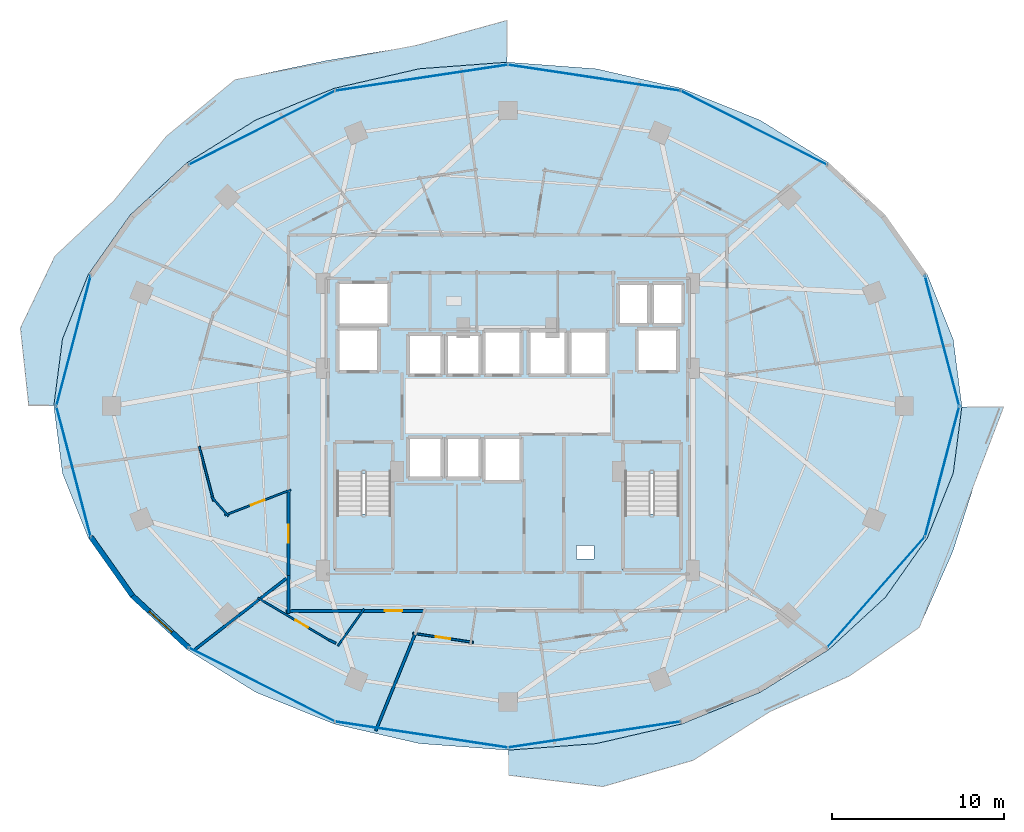
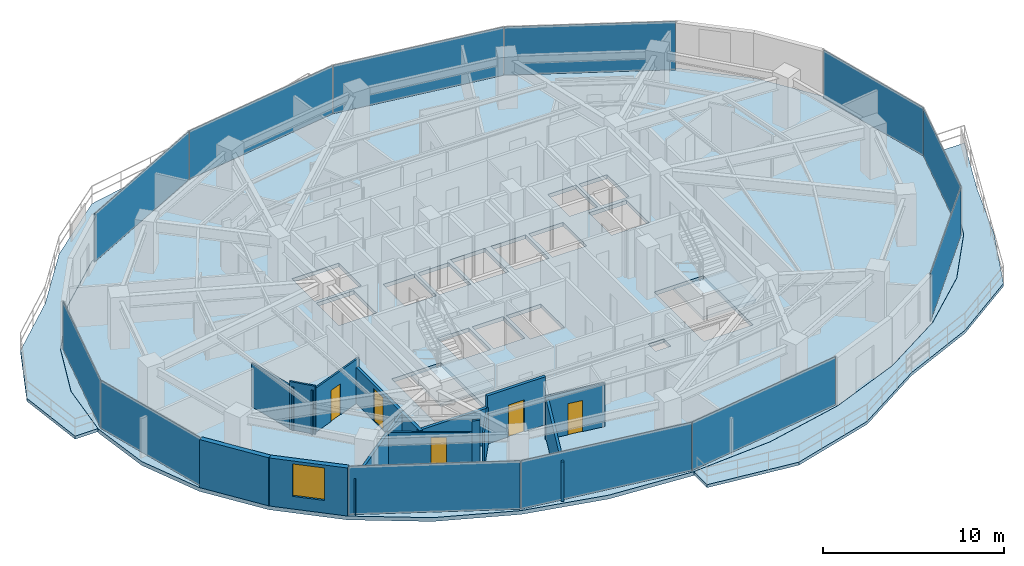
# One storey, part 21 of 30: 15 walls, 12 plates, 5 doors, 5 slabs, 1 window, 6 openings, 6 elements without a shape of their own.
"""IFC4 building model written with IfcOpenShell, lengths in metres."""

from ifc_helpers import new_model, si_unit, direction, frame, frame_2d, origin, origin_2d, place, context, subcontext, project, spatial, polyline, rectangle, outline, extrude, material, layer, layer_set, type_object, element, fill, aggregate, save


model = new_model("IFC4")

# Units and contexts
model_context = context("Model", 3, precision=1e-05, world=origin(), true_north=direction((0.0, 1.0)))
body_context = subcontext(model_context, "Body", "Model", "MODEL_VIEW")
ifc_project = project(units=[si_unit("LENGTHUNIT", "METRE"), si_unit("AREAUNIT", "SQUARE_METRE"), si_unit("VOLUMEUNIT", "CUBIC_METRE"), si_unit("PLANEANGLEUNIT", "RADIAN"), si_unit("MASSUNIT", "GRAM", prefix="KILO")], contexts=[model_context])

# Site, building, storey
site_placement = place(None, origin())
site = spatial("IfcSite", under=ifc_project, at=site_placement, CompositionType="ELEMENT")
building_placement = place(site_placement, origin())
building = spatial("IfcBuilding", under=site, at=building_placement, Name="Vorneva Point Tower", CompositionType="ELEMENT")
storey_placement = place(building_placement, frame((0.0, 0.0, 89.300048828125)))
storey = spatial("IfcBuildingStorey", under=building, at=storey_placement, Name="L23", CompositionType="ELEMENT", Elevation=89.300048828125)

# Curtain wall, plates
ifc_material_1 = material(Name="Pale anodised aluminium", Category="aluminium")
curtain_wall_type = type_object("IfcCurtainWallType", Name="CW-HTL-SYS", PredefinedType="NOTDEFINED", material=ifc_material_1)
curtain_wall_1_placement = place(storey_placement, origin())
curtain_wall_1 = element("IfcCurtainWall", 1, at=curtain_wall_1_placement, inside=storey, type_object=curtain_wall_type, Name="L23 Unitised Curtain Wall CW-L23-R01", PredefinedType="NOTDEFINED")
ifc_material_2 = material(Name="Double low-e laminated glass IGU", Category="glass")
ifc_layer_1 = layer(ifc_material_2, 0.035888671875)
ifc_layer_set_1 = layer_set([ifc_layer_1], Name="Double low-e laminated glass IGU")
plate_type = type_object("IfcPlateType", Name="CW-PNL-VIS", PredefinedType="CURTAIN_PANEL", material=ifc_layer_set_1)
plate_1_placement = place(storey_placement, frame((59.40673828125, 15.183837890625, -0.02001953125), z_axis=(0.0, 0.0, 1.0), x_axis=(0.662149334693, 0.749371909379, 0.0)))
plate_1 = element("IfcPlate", 2, at=plate_1_placement, type_object=plate_type, Name="CW-L23-R01 Glazed Panel 01", PredefinedType="CURTAIN_PANEL", context=body_context, shape_type="SweptSolid", body=[
    extrude(rectangle(XDim=8.543701171875, YDim=0.035888671875, at=origin_2d()), origin(), (0.0, 0.0, 1.0), 3.280029296875),
])
plate_2_placement = place(storey_placement, frame((63.2509765625, 22.201904296875, -0.02001953125), z_axis=(0.0, 0.0, 1.0), x_axis=(0.254399404995, 0.967099241411, 0.0)))
plate_2 = element("IfcPlate", 3, at=plate_2_placement, type_object=plate_type, Name="CW-L23-R01 Glazed Panel 02", PredefinedType="CURTAIN_PANEL", context=body_context, shape_type="SweptSolid", body=[
    extrude(rectangle(XDim=7.8046875, YDim=0.035888671875, at=origin_2d()), origin(), (0.0, 0.0, 1.0), 3.280029296875),
])
plate_3_placement = place(storey_placement, frame((63.2509765625, 29.798095703125, -0.02001953125), z_axis=(0.0, 0.0, 1.0), x_axis=(-0.254399404995, 0.967099241411, 0.0)))
plate_3 = element("IfcPlate", 4, at=plate_3_placement, type_object=plate_type, Name="CW-L23-R01 Glazed Panel 03", PredefinedType="CURTAIN_PANEL", context=body_context, shape_type="SweptSolid", body=[
    extrude(rectangle(XDim=7.8046875, YDim=0.035888671875, at=origin_2d()), origin(), (0.0, 0.0, 1.0), 3.280029296875),
])
aggregate(curtain_wall_1, [plate_1, plate_2, plate_3])

curtain_wall_2_placement = place(storey_placement, origin())
curtain_wall_2 = element("IfcCurtainWall", 5, at=curtain_wall_2_placement, inside=storey, type_object=curtain_wall_type, Name="L23 Unitised Curtain Wall CW-L23-R02", PredefinedType="NOTDEFINED")
plate_4_placement = place(storey_placement, frame((52.303466796875, 42.1875, -0.02001953125), z_axis=(0.0, 0.0, 1.0), x_axis=(-0.892538597772, 0.450971009585, 0.0)))
plate_4 = element("IfcPlate", 6, at=plate_4_placement, type_object=plate_type, Name="CW-L23-R02 Glazed Panel 01", PredefinedType="CURTAIN_PANEL", context=body_context, shape_type="SweptSolid", body=[
    extrude(rectangle(XDim=9.491455078125, YDim=0.035888671875, at=origin_2d()), origin(), (0.0, 0.0, 1.0), 3.280029296875),
])
plate_5_placement = place(storey_placement, frame((43.022705078125, 45.094482421875, -0.02001953125), z_axis=(0.0, 0.0, 1.0), x_axis=(-0.988876117041, 0.148741470836, 0.0)))
plate_5 = element("IfcPlate", 7, at=plate_5_placement, type_object=plate_type, Name="CW-L23-R02 Glazed Panel 02", PredefinedType="CURTAIN_PANEL", context=body_context, shape_type="SweptSolid", body=[
    extrude(rectangle(XDim=10.1083984375, YDim=0.035888671875, at=origin_2d()), origin(), (0.0, 0.0, 1.0), 3.280029296875),
])
plate_6_placement = place(storey_placement, frame((32.977294921875, 45.094482421875, -0.02001953125), z_axis=(0.0, 0.0, 1.0), x_axis=(-0.988876117041, -0.148741470836, 0.0)))
plate_6 = element("IfcPlate", 8, at=plate_6_placement, type_object=plate_type, Name="CW-L23-R02 Glazed Panel 03", PredefinedType="CURTAIN_PANEL", context=body_context, shape_type="SweptSolid", body=[
    extrude(rectangle(XDim=10.1083984375, YDim=0.035888671875, at=origin_2d()), origin(), (0.0, 0.0, 1.0), 3.280029296875),
])
plate_7_placement = place(storey_placement, frame((23.696533203125, 42.1875, -0.02001953125), z_axis=(0.0, 0.0, 1.0), x_axis=(-0.892538597772, -0.450971009585, 0.0)))
plate_7 = element("IfcPlate", 9, at=plate_7_placement, type_object=plate_type, Name="CW-L23-R02 Glazed Panel 04", PredefinedType="CURTAIN_PANEL", context=body_context, shape_type="SweptSolid", body=[
    extrude(rectangle(XDim=9.491455078125, YDim=0.035888671875, at=origin_2d()), origin(), (0.0, 0.0, 1.0), 3.280029296875),
])
aggregate(curtain_wall_2, [plate_4, plate_5, plate_6, plate_7])

curtain_wall_3_placement = place(storey_placement, origin())
curtain_wall_3 = element("IfcCurtainWall", 10, at=curtain_wall_3_placement, inside=storey, type_object=curtain_wall_type, Name="L23 Unitised Curtain Wall CW-L23-R03", PredefinedType="NOTDEFINED")
plate_8_placement = place(storey_placement, frame((12.7490234375, 29.798095703125, -0.02001953125), z_axis=(0.0, 0.0, 1.0), x_axis=(-0.254399404995, -0.967099241411, 0.0)))
plate_8 = element("IfcPlate", 11, at=plate_8_placement, type_object=plate_type, Name="CW-L23-R03 Glazed Panel 01", PredefinedType="CURTAIN_PANEL", context=body_context, shape_type="SweptSolid", body=[
    extrude(rectangle(XDim=7.8046875, YDim=0.035888671875, at=origin_2d()), origin(), (0.0, 0.0, 1.0), 3.280029296875),
])
plate_9_placement = place(storey_placement, frame((12.7490234375, 22.201904296875, -0.02001953125), z_axis=(0.0, 0.0, 1.0), x_axis=(0.254399404995, -0.967099241411, 0.0)))
plate_9 = element("IfcPlate", 12, at=plate_9_placement, type_object=plate_type, Name="CW-L23-R03 Glazed Panel 02", PredefinedType="CURTAIN_PANEL", context=body_context, shape_type="SweptSolid", body=[
    extrude(rectangle(XDim=7.8046875, YDim=0.035888671875, at=origin_2d()), origin(), (0.0, 0.0, 1.0), 3.280029296875),
])
aggregate(curtain_wall_3, [plate_8, plate_9])

curtain_wall_4_placement = place(storey_placement, origin())
curtain_wall_4 = element("IfcCurtainWall", 13, at=curtain_wall_4_placement, inside=storey, type_object=curtain_wall_type, Name="L23 Unitised Curtain Wall CW-L23-R04", PredefinedType="NOTDEFINED")
plate_10_placement = place(storey_placement, frame((23.696533203125, 9.8125, -0.02001953125), z_axis=(0.0, 0.0, 1.0), x_axis=(0.892538597772, -0.450971009585, 0.0)))
plate_10 = element("IfcPlate", 14, at=plate_10_placement, type_object=plate_type, Name="CW-L23-R04 Glazed Panel 01", PredefinedType="CURTAIN_PANEL", context=body_context, shape_type="SweptSolid", body=[
    extrude(rectangle(XDim=9.491455078125, YDim=0.035888671875, at=origin_2d()), origin(), (0.0, 0.0, 1.0), 3.280029296875),
])
plate_11_placement = place(storey_placement, frame((32.977294921875, 6.905517578125, -0.02001953125), z_axis=(0.0, 0.0, 1.0), x_axis=(0.988876117041, -0.148741470836, 0.0)))
plate_11 = element("IfcPlate", 15, at=plate_11_placement, type_object=plate_type, Name="CW-L23-R04 Glazed Panel 02", PredefinedType="CURTAIN_PANEL", context=body_context, shape_type="SweptSolid", body=[
    extrude(rectangle(XDim=10.1083984375, YDim=0.035888671875, at=origin_2d()), origin(), (0.0, 0.0, 1.0), 3.280029296875),
])
plate_12_placement = place(storey_placement, frame((43.022705078125, 6.905517578125, -0.02001953125), z_axis=(0.0, 0.0, 1.0), x_axis=(0.988876117041, 0.148741470836, 0.0)))
plate_12 = element("IfcPlate", 16, at=plate_12_placement, type_object=plate_type, Name="CW-L23-R04 Glazed Panel 03", PredefinedType="CURTAIN_PANEL", context=body_context, shape_type="SweptSolid", body=[
    extrude(rectangle(XDim=10.1083984375, YDim=0.035888671875, at=origin_2d()), origin(), (0.0, 0.0, 1.0), 3.280029296875),
])
aggregate(curtain_wall_4, [plate_10, plate_11, plate_12])

# Slabs
ifc_material_3 = material(Name="Concrete B50 (C40/50)", Category="concrete")
ifc_layer_2 = layer(ifc_material_3, 0.199951171875)
ifc_layer_set_2 = layer_set([ifc_layer_2], Name="Concrete B50 (C40/50)")
slab_type_1 = type_object("IfcSlabType", Name="SLB-BAL-200", PredefinedType="FLOOR", material=ifc_layer_set_2)
slab_1_placement = place(storey_placement, frame((0.0, 0.0, -0.199951171875)))
element("IfcSlab", 17, at=slab_1_placement, inside=storey, type_object=slab_type_1, Name="L23 Cantilevered Wave Balcony NW", PredefinedType="FLOOR", context=body_context, shape_type="SweptSolid", body=[
    extrude(outline(polyline([(10.1396484375, 26.050048828125), (11.6025390625, 26.050048828125), (12.103271484375, 29.90234375), (12.103515625, 29.902587890625), (12.103515625, 29.903076171875), (12.103515625, 29.9033203125), (13.60595703125, 33.6552734375), (13.606201171875, 33.655517578125), (13.606201171875, 33.656005859375), (16.0458984375, 37.11376953125), (16.046142578125, 37.114013671875), (16.04638671875, 37.1142578125), (19.32958984375, 40.14501953125), (19.330078125, 40.145263671875), (19.330322265625, 40.1455078125), (23.330810546875, 42.6328125), (23.3310546875, 42.633056640625), (23.331298828125, 42.633056640625), (27.895751953125, 44.481201171875), (27.89599609375, 44.4814453125), (27.896240234375, 44.4814453125), (32.8486328125, 45.61962890625), (32.84912109375, 45.61962890625), (32.849365234375, 45.61962890625), (37.949951171875, 46.000244140625), (37.949951171875, 48.43115234375), (32.645751953125, 46.968505859375), (27.3935546875, 46.08251953125), (22.14208984375, 44.981689453125), (18.15478515625, 41.696533203125), (15.101806640625, 37.947021484375), (11.66357421875, 34.7177734375), (9.658203125, 30.544921875), (10.1396484375, 26.050048828125)])), origin(), (0.0, 0.0, 1.0), 0.199951171875),
])
slab_2_placement = place(storey_placement, frame((0.0, 0.0, -0.199951171875)))
element("IfcSlab", 18, at=slab_2_placement, inside=storey, type_object=slab_type_1, Name="L23 Cantilevered Wave Balcony SE", PredefinedType="FLOOR", context=body_context, shape_type="SweptSolid", body=[
    extrude(outline(polyline([(65.2158203125, 21.750732421875), (66.82568359375, 25.949951171875), (64.3974609375, 25.949951171875), (63.896728515625, 22.09765625), (63.896484375, 22.097412109375), (63.896484375, 22.096923828125), (63.896484375, 22.0966796875), (62.39404296875, 18.3447265625), (62.393798828125, 18.344482421875), (62.393798828125, 18.343994140625), (59.9541015625, 14.88623046875), (59.953857421875, 14.885986328125), (59.95361328125, 14.8857421875), (56.67041015625, 11.85498046875), (56.669921875, 11.854736328125), (56.669677734375, 11.8544921875), (52.669189453125, 9.3671875), (52.6689453125, 9.366943359375), (52.668701171875, 9.366943359375), (48.104248046875, 7.518798828125), (48.10400390625, 7.5185546875), (48.103759765625, 7.5185546875), (43.1513671875, 6.38037109375), (43.15087890625, 6.38037109375), (43.150634765625, 6.38037109375), (38.050048828125, 5.999755859375), (38.050048828125, 4.5390625), (43.527587890625, 3.880615234375), (48.766845703125, 5.40625), (53.23779296875, 8.243408203125), (57.84521484375, 10.303466796875), (61.927978515625, 13.14453125), (63.8662109375, 17.539306640625), (65.2158203125, 21.750732421875)])), origin(), (0.0, 0.0, 1.0), 0.199951171875),
])

# Stair, slab
stair_type = type_object("IfcStairType", Name="ST-DOG-1500", PredefinedType="HALF_TURN_STAIR", material=ifc_material_3)
stair_1_placement = place(storey_placement, origin())
stair_1 = element("IfcStair", 19, at=stair_1_placement, inside=storey, type_object=stair_type, Name="L23 ST1", PredefinedType="HALF_TURN_STAIR")
ifc_layer_3 = layer(ifc_material_3, 0.199951171875)
ifc_layer_set_3 = layer_set([ifc_layer_3], Name="Concrete B50 (C40/50)")
slab_type_2 = type_object("IfcSlabType", Name="SLB-LND-200", PredefinedType="LANDING", material=ifc_layer_set_3)
slab_3_placement = place(storey_placement, frame((0.0, 0.0, 1.550048828125)))
slab_3 = element("IfcSlab", 20, at=slab_3_placement, type_object=slab_type_2, Name="ST1 landing 1", PredefinedType="LANDING", context=body_context, shape_type="SweptSolid", body=[
    extrude(outline(polyline([(27.929931640625, 16.47998046875), (31.320068359375, 16.47998046875), (31.320068359375, 19.72998046875), (27.929931640625, 19.72998046875), (27.929931640625, 16.47998046875)])), origin(), (0.0, 0.0, 1.0), 0.199951171875),
])
aggregate(stair_1, [slab_3])

stair_2_placement = place(storey_placement, origin())
stair_2 = element("IfcStair", 21, at=stair_2_placement, inside=storey, type_object=stair_type, Name="L23 ST2", PredefinedType="HALF_TURN_STAIR")
slab_4_placement = place(storey_placement, frame((0.0, 0.0, 1.550048828125)))
slab_4 = element("IfcSlab", 22, at=slab_4_placement, type_object=slab_type_2, Name="ST2 landing 1", PredefinedType="LANDING", context=body_context, shape_type="SweptSolid", body=[
    extrude(outline(polyline([(44.679931640625, 16.47998046875), (48.070068359375, 16.47998046875), (48.070068359375, 19.72998046875), (44.679931640625, 19.72998046875), (44.679931640625, 16.47998046875)])), origin(), (0.0, 0.0, 1.0), 0.199951171875),
])
aggregate(stair_2, [slab_4])

# Slab
ifc_layer_4 = layer(ifc_material_3, 0.260009765625)
ifc_layer_set_4 = layer_set([ifc_layer_4], Name="Concrete B50 (C40/50)")
slab_type_3 = type_object("IfcSlabType", Name="SLB-TYP-260", PredefinedType="FLOOR", material=ifc_layer_set_4)
slab_5_placement = place(storey_placement, frame((0.0, 0.0, -0.260009765625)))
element("IfcSlab", 23, at=slab_5_placement, inside=storey, type_object=slab_type_3, Name="L23 Structural Floor Plate", PredefinedType="FLOOR", context=body_context, shape_type="SweptSolid", body=[
    extrude(outline(polyline([(64.39990234375, 26.0), (63.892578125, 29.90185546875), (62.390380859375, 33.65380859375), (59.95068359375, 37.111328125), (56.66748046875, 40.14208984375), (52.6669921875, 42.62939453125), (48.102783203125, 44.4775390625), (43.150390625, 45.61572265625), (38.0, 46.0), (32.849609375, 45.61572265625), (27.897216796875, 44.4775390625), (23.3330078125, 42.62939453125), (19.33251953125, 40.14208984375), (16.04931640625, 37.111328125), (13.609619140625, 33.65380859375), (12.107421875, 29.90185546875), (11.60009765625, 26.0), (12.107421875, 22.09814453125), (13.609619140625, 18.34619140625), (16.04931640625, 14.888671875), (19.33251953125, 11.85791015625), (23.3330078125, 9.37060546875), (27.897216796875, 7.5224609375), (32.849609375, 6.38427734375), (38.0, 6.0), (43.150390625, 6.38427734375), (48.102783203125, 7.5224609375), (52.6669921875, 9.37060546875), (56.66748046875, 11.85791015625), (59.95068359375, 14.888671875), (62.390380859375, 18.34619140625), (63.892578125, 22.09814453125), (64.39990234375, 26.0)]), holes=[polyline([(32.199951171875, 27.800048828125), (34.199951171875, 27.800048828125), (34.199951171875, 30.199951171875), (32.199951171875, 30.199951171875), (32.199951171875, 27.800048828125)]), polyline([(34.39990234375, 27.800048828125), (36.39990234375, 27.800048828125), (36.39990234375, 30.199951171875), (34.39990234375, 30.199951171875), (34.39990234375, 27.800048828125)]), polyline([(36.60009765625, 27.800048828125), (38.800048828125, 27.800048828125), (38.800048828125, 30.39990234375), (36.60009765625, 30.39990234375), (36.60009765625, 27.800048828125)]), polyline([(32.199951171875, 21.800048828125), (34.199951171875, 21.800048828125), (34.199951171875, 24.199951171875), (32.199951171875, 24.199951171875), (32.199951171875, 21.800048828125)]), polyline([(34.39990234375, 21.800048828125), (36.39990234375, 21.800048828125), (36.39990234375, 24.199951171875), (34.39990234375, 24.199951171875), (34.39990234375, 21.800048828125)]), polyline([(36.60009765625, 21.60009765625), (38.800048828125, 21.60009765625), (38.800048828125, 24.199951171875), (36.60009765625, 24.199951171875), (36.60009765625, 21.60009765625)]), polyline([(39.199951171875, 27.800048828125), (41.39990234375, 27.800048828125), (41.39990234375, 30.39990234375), (39.199951171875, 30.39990234375), (39.199951171875, 27.800048828125)]), polyline([(41.60009765625, 27.800048828125), (43.800048828125, 27.800048828125), (43.800048828125, 30.39990234375), (41.60009765625, 30.39990234375), (41.60009765625, 27.800048828125)]), polyline([(44.39990234375, 30.739990234375), (46.199951171875, 30.739990234375), (46.199951171875, 33.159912109375), (44.39990234375, 33.159912109375), (44.39990234375, 30.739990234375)]), polyline([(46.39990234375, 30.739990234375), (48.199951171875, 30.739990234375), (48.199951171875, 33.159912109375), (46.39990234375, 33.159912109375), (46.39990234375, 30.739990234375)]), polyline([(28.10009765625, 28.0), (30.5, 28.0), (30.5, 30.5), (28.10009765625, 30.5), (28.10009765625, 28.0)]), polyline([(45.5, 28.0), (47.89990234375, 28.0), (47.89990234375, 30.5), (45.5, 30.5), (45.5, 28.0)]), polyline([(28.10009765625, 30.699951171875), (31.10009765625, 30.699951171875), (31.10009765625, 33.199951171875), (28.10009765625, 33.199951171875), (28.10009765625, 30.699951171875)]), polyline([(28.050048828125, 16.60009765625), (31.199951171875, 16.60009765625), (31.199951171875, 22.080078125), (28.050048828125, 22.080078125), (28.050048828125, 16.60009765625)]), polyline([(44.800048828125, 16.60009765625), (47.949951171875, 16.60009765625), (47.949951171875, 22.080078125), (44.800048828125, 22.080078125), (44.800048828125, 16.60009765625)]), polyline([(42.0, 17.10009765625), (43.0, 17.10009765625), (43.0, 17.89990234375), (42.0, 17.89990234375), (42.0, 17.10009765625)])]), origin(), (0.0, 0.0, 1.0), 0.260009765625),
])

# Wall
ifc_material_4 = material(Name="Precast concrete B50 (C40/50)", Category="concrete")
ifc_layer_5 = layer(ifc_material_4, 0.300048828125)
ifc_layer_set_5 = layer_set([ifc_layer_5], Name="Precast concrete B50 (C40/50)")
wall_type_1 = type_object("IfcWallType", Name="WL-EXT-300", PredefinedType="STANDARD", material=ifc_layer_set_5)
wall_1_placement = place(storey_placement, frame((13.748291015625, 18.40380859375, 0.0), z_axis=(0.0, 0.0, 1.0), x_axis=(0.57716435238, -0.81662801222, 0.0)))
element("IfcWall", 24, at=wall_1_placement, inside=storey, type_object=wall_type_1, Name="L23 Pale-Metal Facade Spandrel Wall 10.1", PredefinedType="STANDARD", context=body_context, shape_type="SweptSolid", body=[
    extrude(rectangle(XDim=4.202392578125, YDim=0.300048828125, at=frame_2d((2.10107421875, 0.0))), origin(), (0.0, 0.0, 1.0), 3.239990234375),
])

# Wall, opening, window
wall_2_placement = place(storey_placement, frame((16.173828125, 14.971923828125, 0.0), z_axis=(0.0, 0.0, 1.0), x_axis=(0.735416718093, -0.677615119924, 0.0)))
wall_2 = element("IfcWall", 25, at=wall_2_placement, inside=storey, type_object=wall_type_1, Name="L23 Pale-Metal Facade Spandrel Wall 10.2", PredefinedType="STANDARD", context=body_context, shape_type="SweptSolid", body=[
    extrude(rectangle(XDim=4.439208984375, YDim=0.300048828125, at=frame_2d((2.2197265625, 0.0))), origin(), (0.0, 0.0, 1.0), 3.239990234375),
])
opening_1_placement = place(wall_2_placement, frame((1.319580078125, 0.0, 0.85009765625)))
opening_1 = element("IfcOpeningElement", 26, at=opening_1_placement, cuts=wall_2, Name="Opening W-01", PredefinedType="OPENING", context=body_context, shape_type="SweptSolid", body=[
    extrude(rectangle(XDim=1.800048828125, YDim=2.18994140625, at=frame_2d((0.89990234375, 1.094970703125))), frame((0.0, 0.1650390625, 0.0), z_axis=(0.0, -1.0, 0.0), x_axis=(1.0, 0.0, 0.0)), (0.0, 0.0, 1.0), 0.329833984375),
])
window_type = type_object("IfcWindowType", Name="WN-LOG-1800", PartitioningType="SINGLE_PANEL", PredefinedType="WINDOW", material=ifc_material_2)
window_placement = place(opening_1_placement, origin())
window = element("IfcWindow", 27, at=window_placement, inside=storey, type_object=window_type, Name="L23 Facade Window 10", OverallHeight=2.18994140625, OverallWidth=1.800048828125, PartitioningType="SINGLE_PANEL", PredefinedType="WINDOW", context=body_context, shape_type="SweptSolid", body=[
    extrude(rectangle(XDim=1.800048828125, YDim=2.18994140625, at=frame_2d((0.89990234375, 1.094970703125))), frame((0.0, 0.030029296875, 0.0), z_axis=(0.0, -1.0, 0.0), x_axis=(1.0, 0.0, 0.0)), (0.0, 0.0, 1.0), 0.06005859375),
])
fill(opening_1, window)

# Walls
ifc_material_5 = material(Name="Fire-rated acoustic gypsum stud partition", Category="gypsum")
ifc_layer_6 = layer(ifc_material_5, 0.110107421875)
ifc_layer_set_6 = layer_set([ifc_layer_6], Name="Fire-rated acoustic gypsum stud partition")
wall_type_2 = type_object("IfcWallType", Name="WL-PART-110", PredefinedType="PARTITIONING", material=ifc_layer_set_6)
wall_3_placement = place(storey_placement, frame((21.759765625, 19.60205078125, 0.0), z_axis=(0.0, 0.0, 1.0), x_axis=(-0.661931735756, 0.749564124808, 0.0)))
element("IfcWall", 28, at=wall_3_placement, inside=storey, type_object=wall_type_2, Name="L23 Interior Partition 074", PredefinedType="PARTITIONING", context=body_context, shape_type="SweptSolid", body=[
    extrude(rectangle(XDim=1.510009765625, YDim=0.110107421875, at=frame_2d((0.7548828125, 0.0))), origin(), (0.0, 0.0, 1.0), 3.239990234375),
])
wall_4_placement = place(storey_placement, frame((20.888671875, 20.49365234375, 0.0), z_axis=(0.0, 0.0, 1.0), x_axis=(-0.254405137241, 0.967097733502, 0.0)))
element("IfcWall", 29, at=wall_4_placement, inside=storey, type_object=wall_type_2, Name="L23 Interior Partition 075", PredefinedType="PARTITIONING", context=body_context, shape_type="SweptSolid", body=[
    extrude(rectangle(XDim=3.271484375, YDim=0.110107421875, at=frame_2d((1.6357421875, 0.0))), origin(), (0.0, 0.0, 1.0), 2.921875),
])

# Wall, opening, door
wall_5_placement = place(storey_placement, frame((25.380615234375, 21.13720703125, 0.0), z_axis=(0.0, 0.0, 1.0), x_axis=(-0.933189718051, -0.359384126144, 0.0)))
wall_5 = element("IfcWall", 30, at=wall_5_placement, inside=storey, type_object=wall_type_2, Name="L23 Interior Partition 076", PredefinedType="PARTITIONING", context=body_context, shape_type="SweptSolid", body=[
    extrude(rectangle(XDim=4.119384765625, YDim=0.110107421875, at=frame_2d((2.0595703125, 0.0))), origin(), (0.0, 0.0, 1.0), 2.971923828125),
])
opening_2_placement = place(wall_5_placement, frame((1.634765625, 0.0, 0.0)))
opening_2 = element("IfcOpeningElement", 31, at=opening_2_placement, cuts=wall_5, Name="Opening ID-02", PredefinedType="OPENING", context=body_context, shape_type="SweptSolid", body=[
    extrude(rectangle(XDim=0.85009765625, YDim=2.10009765625, at=frame_2d((0.425048828125, 1.050048828125))), frame((0.0, 0.06982421875, 0.0), z_axis=(0.0, -1.0, 0.0), x_axis=(1.0, 0.0, 0.0)), (0.0, 0.0, 1.0), 0.139892578125),
])
ifc_material_6 = material(Name="Engineered oak fire-rated door leaf", Category="wood")
door_type_1 = type_object("IfcDoorType", Name="DR-BATH-850", OperationType="NOTDEFINED", PredefinedType="DOOR", material=ifc_material_6)
door_1_placement = place(opening_2_placement, origin())
door_1 = element("IfcDoor", 32, at=door_1_placement, inside=storey, type_object=door_type_1, Name="L23 Door Junior Suite L23-07 / En-Suite Bathroom L23-07", OperationType="SINGLE_SWING_LEFT", OverallHeight=2.10009765625, OverallWidth=0.85009765625, PredefinedType="DOOR", context=body_context, shape_type="SweptSolid", body=[
    extrude(rectangle(XDim=0.85009765625, YDim=2.10009765625, at=frame_2d((0.425048828125, 1.050048828125))), frame((0.0, 0.02490234375, 0.0), z_axis=(0.0, -1.0, 0.0), x_axis=(1.0, 0.0, 0.0)), (0.0, 0.0, 1.0), 0.050048828125),
])
fill(opening_2, door_1)

wall_6_placement = place(storey_placement, frame((27.610595703125, 12.398681640625, 0.0), z_axis=(0.0, 0.0, 1.0), x_axis=(-0.860667615303, 0.509167218081, 0.0)))
wall_6 = element("IfcWall", 33, at=wall_6_placement, inside=storey, type_object=wall_type_2, Name="L23 Interior Partition 078", PredefinedType="PARTITIONING", context=body_context, shape_type="SweptSolid", body=[
    extrude(rectangle(XDim=4.82666015625, YDim=0.110107421875, at=frame_2d((2.413330078125, 0.0))), origin(), (0.0, 0.0, 1.0), 2.431884765625),
])
opening_3_placement = place(wall_6_placement, frame((1.42822265625, 0.0, 0.0)))
opening_3 = element("IfcOpeningElement", 34, at=opening_3_placement, cuts=wall_6, Name="Opening ID-02", PredefinedType="OPENING", context=body_context, shape_type="SweptSolid", body=[
    extrude(rectangle(XDim=0.85009765625, YDim=2.10009765625, at=frame_2d((0.425048828125, 1.050048828125))), frame((0.0, 0.06982421875, 0.0), z_axis=(0.0, -1.0, 0.0), x_axis=(1.0, 0.0, 0.0)), (0.0, 0.0, 1.0), 0.139892578125),
])
door_2_placement = place(opening_3_placement, origin())
door_2 = element("IfcDoor", 35, at=door_2_placement, inside=storey, type_object=door_type_1, Name="L23 Door King Guest Room L23-08 / En-Suite Bathroom L23-08", OperationType="SINGLE_SWING_RIGHT", OverallHeight=2.10009765625, OverallWidth=0.85009765625, PredefinedType="DOOR", context=body_context, shape_type="SweptSolid", body=[
    extrude(rectangle(XDim=0.85009765625, YDim=2.10009765625, at=frame_2d((0.425048828125, 1.050048828125))), frame((0.0, 0.02490234375, 0.0), z_axis=(0.0, -1.0, 0.0), x_axis=(1.0, 0.0, 0.0)), (0.0, 0.0, 1.0), 0.050048828125),
])
fill(opening_3, door_2)

# Wall
wall_7_placement = place(storey_placement, frame((29.64404296875, 14.214111328125, 0.0), z_axis=(0.0, 0.0, 1.0), x_axis=(-0.578550668744, -0.815646445279, 0.0)))
element("IfcWall", 36, at=wall_7_placement, inside=storey, type_object=wall_type_2, Name="L23 Interior Partition 079", PredefinedType="PARTITIONING", context=body_context, shape_type="SweptSolid", body=[
    extrude(rectangle(XDim=2.64111328125, YDim=0.110107421875, at=frame_2d((1.320556640625, 0.0))), origin(), (0.0, 0.0, 1.0), 2.431884765625),
])

# Wall, opening, door
wall_8_placement = place(storey_placement, frame((35.9833984375, 12.26708984375, 0.0), z_axis=(0.0, 0.0, 1.0), x_axis=(-0.988843169739, 0.148960349288, 0.0)))
wall_8 = element("IfcWall", 37, at=wall_8_placement, inside=storey, type_object=wall_type_2, Name="L23 Interior Partition 083", PredefinedType="PARTITIONING", context=body_context, shape_type="SweptSolid", body=[
    extrude(rectangle(XDim=3.54345703125, YDim=0.110107421875, at=frame_2d((1.771728515625, 0.0))), origin(), (0.0, 0.0, 1.0), 2.921875),
])
opening_4_placement = place(wall_8_placement, frame((1.3466796875, 0.0, 0.0)))
opening_4 = element("IfcOpeningElement", 38, at=opening_4_placement, cuts=wall_8, Name="Opening ID-02", PredefinedType="OPENING", context=body_context, shape_type="SweptSolid", body=[
    extrude(rectangle(XDim=0.85009765625, YDim=2.10009765625, at=frame_2d((0.425048828125, 1.050048828125))), frame((0.0, 0.06982421875, 0.0), z_axis=(0.0, -1.0, 0.0), x_axis=(1.0, 0.0, 0.0)), (0.0, 0.0, 1.0), 0.139892578125),
])
door_3_placement = place(opening_4_placement, origin())
door_3 = element("IfcDoor", 39, at=door_3_placement, inside=storey, type_object=door_type_1, Name="L23 Door Twin Guest Room L23-09 / En-Suite Bathroom L23-09", OperationType="SINGLE_SWING_LEFT", OverallHeight=2.10009765625, OverallWidth=0.85009765625, PredefinedType="DOOR", context=body_context, shape_type="SweptSolid", body=[
    extrude(rectangle(XDim=0.85009765625, YDim=2.10009765625, at=frame_2d((0.425048828125, 1.050048828125))), frame((0.0, 0.02490234375, 0.0), z_axis=(0.0, -1.0, 0.0), x_axis=(1.0, 0.0, 0.0)), (0.0, 0.0, 1.0), 0.050048828125),
])
fill(opening_4, door_3)

# Walls
ifc_layer_7 = layer(ifc_material_5, 0.139892578125)
ifc_layer_set_7 = layer_set([ifc_layer_7], Name="Fire-rated acoustic gypsum stud partition")
wall_type_3 = type_object("IfcWallType", Name="WL-PART-140", PredefinedType="PARTITIONING", material=ifc_layer_set_7)
wall_9_placement = place(storey_placement, frame((27.587158203125, 12.421142578125, 0.0), z_axis=(0.0, 0.0, 1.0), x_axis=(0.892279780373, -0.451482882884, 0.0)))
element("IfcWall", 40, at=wall_9_placement, inside=storey, type_object=wall_type_3, Name="L23 Interior Closure Partition 106", PredefinedType="PARTITIONING", context=body_context, shape_type="SweptSolid", body=[
    extrude(rectangle(XDim=0.45703125, YDim=0.139892578125, at=frame_2d((0.228515625, 0.0))), origin(), (0.0, 0.0, 1.0), 3.239990234375),
])
ifc_layer_8 = layer(ifc_material_5, 0.159912109375)
ifc_layer_set_8 = layer_set([ifc_layer_8], Name="Fire-rated acoustic gypsum stud partition")
wall_type_4 = type_object("IfcWallType", Name="WL-PART-160", PredefinedType="PARTITIONING", material=ifc_layer_set_8)
wall_10_placement = place(storey_placement, frame((19.72509765625, 11.7900390625, 0.0), z_axis=(0.0, 0.0, 1.0), x_axis=(0.789438616042, 0.613829513384, 0.0)))
element("IfcWall", 41, at=wall_10_placement, inside=storey, type_object=wall_type_4, Name="L23 Interior Partition 077", PredefinedType="PARTITIONING", context=body_context, shape_type="SweptSolid", body=[
    extrude(rectangle(XDim=6.99853515625, YDim=0.159912109375, at=frame_2d((3.499267578125, 0.0))), origin(), (0.0, 0.0, 1.0), 2.431884765625),
])
wall_11_placement = place(storey_placement, frame((30.318115234375, 7.1201171875, 0.0), z_axis=(0.0, 0.0, 1.0), x_axis=(0.376920780929, 0.926245499263, 0.0)))
element("IfcWall", 42, at=wall_11_placement, inside=storey, type_object=wall_type_4, Name="L23 Interior Partition 080", PredefinedType="PARTITIONING", context=body_context, shape_type="SweptSolid", body=[
    extrude(rectangle(XDim=6.165771484375, YDim=0.159912109375, at=frame_2d((3.0830078125, 0.0))), origin(), (0.0, 0.0, 1.0), 2.677001953125),
])

# Wall, opening, door
ifc_material_7 = material(Name="Autoclaved aerated concrete blockwork", Category="masonry")
ifc_layer_9 = layer(ifc_material_7, 0.179931640625)
ifc_layer_set_9 = layer_set([ifc_layer_9], Name="Autoclaved aerated concrete blockwork")
wall_type_5 = type_object("IfcWallType", Name="WL-PART-180", PredefinedType="PARTITIONING", material=ifc_layer_set_9)
wall_12_placement = place(storey_placement, frame((25.25, 21.14697265625, 0.0), z_axis=(0.0, 0.0, 1.0), x_axis=(0.0, -1.0, 0.0)))
wall_12 = element("IfcWall", 43, at=wall_12_placement, inside=storey, type_object=wall_type_5, Name="L23 Interior Partition 037", PredefinedType="PARTITIONING", context=body_context, shape_type="SweptSolid", body=[
    extrude(rectangle(XDim=5.136962890625, YDim=0.179931640625, at=frame_2d((2.568359375, 0.0))), origin(), (0.0, 0.0, 1.0), 2.431884765625),
])
opening_5_placement = place(wall_12_placement, frame((2.04345703125, 0.0, 0.0)))
opening_5 = element("IfcOpeningElement", 44, at=opening_5_placement, cuts=wall_12, Name="Opening UD-02", PredefinedType="OPENING", context=body_context, shape_type="SweptSolid", body=[
    extrude(rectangle(XDim=1.050048828125, YDim=2.199951171875, at=frame_2d((0.52490234375, 1.10009765625))), frame((0.0, 0.10498046875, 0.0), z_axis=(0.0, -1.0, 0.0), x_axis=(1.0, 0.0, 0.0)), (0.0, 0.0, 1.0), 0.209716796875),
])
door_type_2 = type_object("IfcDoorType", Name="DR-SUITE-1050", OperationType="NOTDEFINED", PredefinedType="DOOR", material=ifc_material_6)
door_4_placement = place(opening_5_placement, origin())
door_4 = element("IfcDoor", 45, at=door_4_placement, inside=storey, type_object=door_type_2, Name="L23 Door L23 Circulation Corridor / Junior Suite L23-07", OperationType="SINGLE_SWING_LEFT", OverallHeight=2.199951171875, OverallWidth=1.050048828125, PredefinedType="DOOR", context=body_context, shape_type="SweptSolid", body=[
    extrude(rectangle(XDim=1.050048828125, YDim=2.199951171875, at=frame_2d((0.52490234375, 1.10009765625))), frame((0.0, 0.02490234375, 0.0), z_axis=(0.0, -1.0, 0.0), x_axis=(1.0, 0.0, 0.0)), (0.0, 0.0, 1.0), 0.050048828125),
])
fill(opening_5, door_4)

wall_13_placement = place(storey_placement, frame((29.489013671875, 14.10009765625, 0.0), z_axis=(0.0, 0.0, 1.0), x_axis=(1.0, 0.0, 0.0)))
wall_13 = element("IfcWall", 46, at=wall_13_placement, inside=storey, type_object=wall_type_5, Name="L23 Interior Partition 039", PredefinedType="PARTITIONING", context=body_context, shape_type="SweptSolid", body=[
    extrude(rectangle(XDim=3.72900390625, YDim=0.179931640625, at=frame_2d((1.864501953125, 0.0))), origin(), (0.0, 0.0, 1.0), 3.239990234375),
])
opening_6_placement = place(wall_13_placement, frame((1.364501953125, 0.0, 0.0)))
opening_6 = element("IfcOpeningElement", 47, at=opening_6_placement, cuts=wall_13, Name="Opening UD-01", PredefinedType="OPENING", context=body_context, shape_type="SweptSolid", body=[
    extrude(rectangle(XDim=1.0, YDim=2.14990234375, at=frame_2d((0.5, 1.074951171875))), frame((0.0, 0.10498046875, 0.0), z_axis=(0.0, -1.0, 0.0), x_axis=(1.0, 0.0, 0.0)), (0.0, 0.0, 1.0), 0.209716796875),
])
door_type_3 = type_object("IfcDoorType", Name="DR-UNIT-1000", OperationType="NOTDEFINED", PredefinedType="DOOR", material=ifc_material_6)
door_5_placement = place(opening_6_placement, origin())
door_5 = element("IfcDoor", 48, at=door_5_placement, inside=storey, type_object=door_type_3, Name="L23 Door L23 Circulation Corridor / King Guest Room L23-08", OperationType="SINGLE_SWING_RIGHT", OverallHeight=2.14990234375, OverallWidth=1.0, PredefinedType="DOOR", context=body_context, shape_type="SweptSolid", body=[
    extrude(rectangle(XDim=1.0, YDim=2.14990234375, at=frame_2d((0.5, 1.074951171875))), frame((0.0, 0.02490234375, 0.0), z_axis=(0.0, -1.0, 0.0), x_axis=(1.0, 0.0, 0.0)), (0.0, 0.0, 1.0), 0.050048828125),
])
fill(opening_6, door_5)

# Walls
wall_14_placement = place(storey_placement, frame((25.25, 16.14990234375, 0.0), z_axis=(0.0, 0.0, 1.0), x_axis=(0.0, -1.0, 0.0)))
element("IfcWall", 49, at=wall_14_placement, inside=storey, type_object=wall_type_5, Name="L23 Interior Partition 040", PredefinedType="PARTITIONING", context=body_context, shape_type="SweptSolid", body=[
    extrude(rectangle(XDim=2.18994140625, YDim=0.179931640625, at=frame_2d((1.094970703125, 0.0))), origin(), (0.0, 0.0, 1.0), 2.431884765625),
])
wall_15_placement = place(storey_placement, frame((25.110107421875, 14.10009765625, 0.0), z_axis=(0.0, 0.0, 1.0), x_axis=(1.0, 0.0, 0.0)))
element("IfcWall", 50, at=wall_15_placement, inside=storey, type_object=wall_type_5, Name="L23 Interior Partition 041", PredefinedType="PARTITIONING", context=body_context, shape_type="SweptSolid", body=[
    extrude(rectangle(XDim=4.518798828125, YDim=0.179931640625, at=frame_2d((2.25927734375, 0.0))), origin(), (0.0, 0.0, 1.0), 2.431884765625),
])

save(model, "model.ifc")
